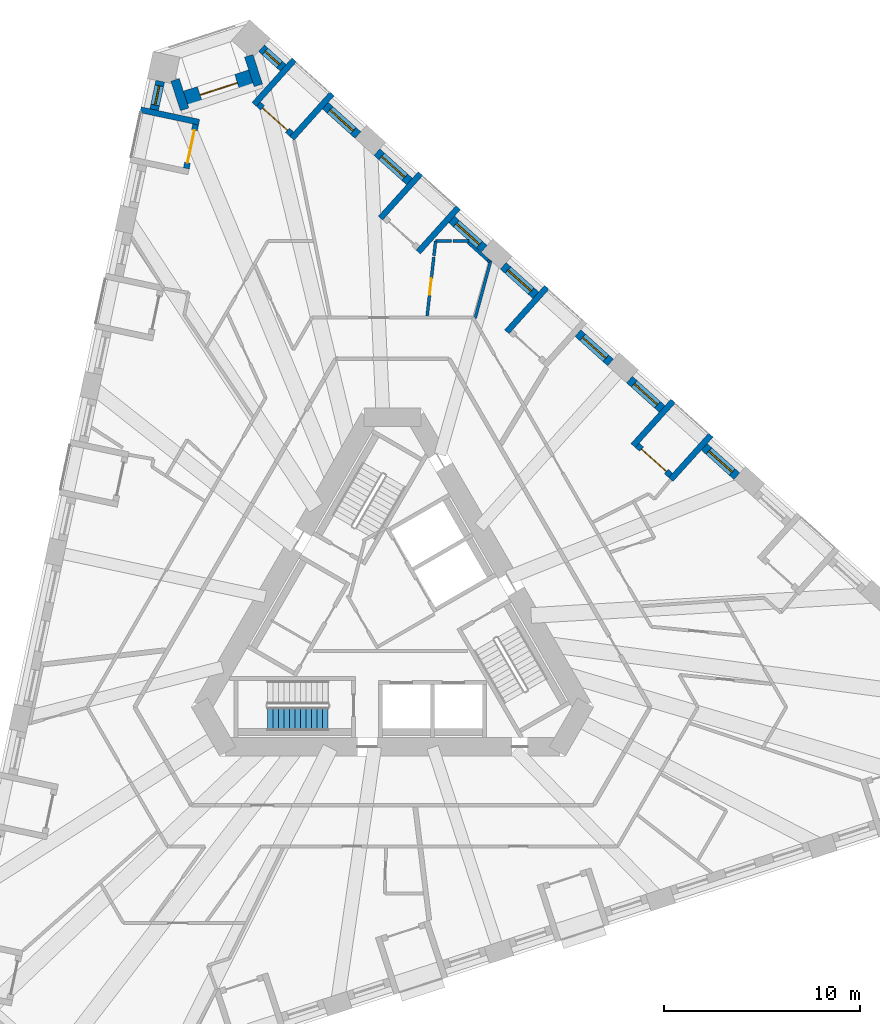
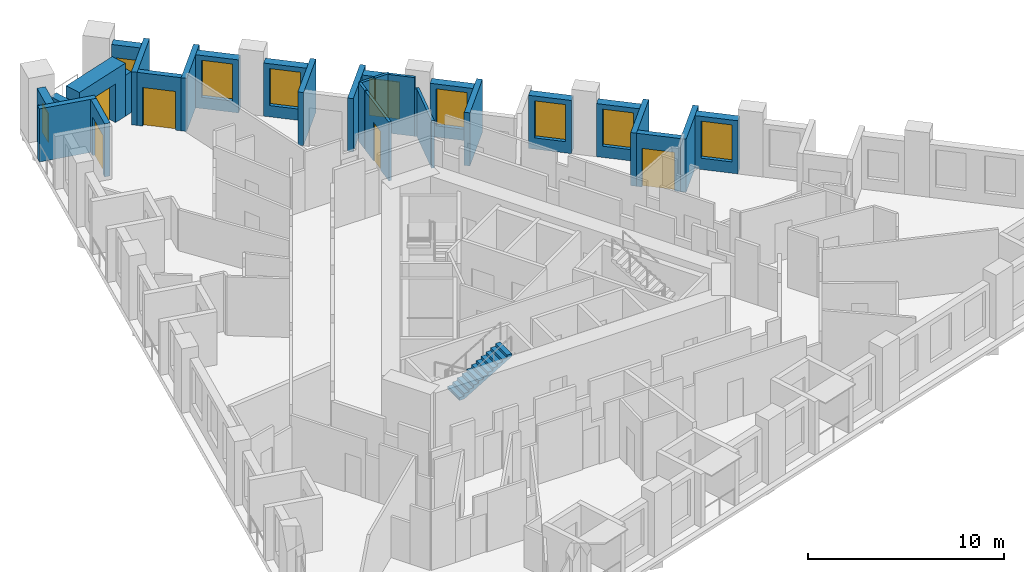
# One storey, part 9 of 13: 30 walls, 9 windows, 5 doors, 1 stair flight, 14 openings, 1 element without a shape of its own.
"""IFC4 building model written with IfcOpenShell, lengths in metres."""

import ifcopenshell
import ifcopenshell.guid

model = None  # the IFC model being written
_history = None  # IfcOwnerHistory: only IFC2X3 demands one
_inside = {}  # id of a spatial element -> (the spatial element, [elements in it])
_under = {}  # id of a project, library or spatial element -> (it, [spatial elements below it])
_declared = {}  # id of a project -> (the project, [libraries it declares])
_typed = {}  # id of a type object -> (the type object, [elements of that type])
_made_of = {}  # id of a material, layer set ... -> (it, [elements and type objects made of it])


def new_model(schema):
    """Start an empty IFC model of exactly this schema.

    Asked for "IFC4X3", IfcOpenShell would pick the latest addendum, in which some entities
    have other attributes; the version numbers below select the first issue.
    IFC2X3 requires an IfcOwnerHistory on every rooted entity: one is made here for all.
    """
    global model, _history
    if schema == "IFC4X3":
        model = ifcopenshell.file(schema_version=(4, 3, 0, 0))
    else:
        model = ifcopenshell.file(schema=schema)
    _inside.clear()
    _under.clear()
    _declared.clear()
    _typed.clear()
    _made_of.clear()
    _history = None
    if model.schema == "IFC2X3":
        org = make("IfcOrganization", Name="unknown")
        user = make(
            "IfcPersonAndOrganization",
            ThePerson=make("IfcPerson", FamilyName="unknown"),
            TheOrganization=org,
        )
        app = make(
            "IfcApplication",
            ApplicationDeveloper=org,
            Version="unknown",
            ApplicationFullName="unknown",
            ApplicationIdentifier="unknown",
        )
        _history = make(
            "IfcOwnerHistory",
            OwningUser=user,
            OwningApplication=app,
            ChangeAction="ADDED",
            CreationDate=0,
        )
    return model


def make(cls, **values):
    """One entity of the class cls with the attributes given. An attribute that is None is left unset."""
    return model.create_entity(
        cls, **{name: value for name, value in values.items() if value is not None}
    )


def rooted(cls, **values):
    """An entity with a GlobalId (a new one), such as an element, a storey or a relation."""
    return make(cls, GlobalId=ifcopenshell.guid.new(), OwnerHistory=_history, **values)


def si_unit(unit_type, name, prefix=None):
    """IfcSIUnit, for example si_unit("LENGTHUNIT", "METRE", prefix="MILLI")."""
    return make("IfcSIUnit", UnitType=unit_type, Prefix=prefix, Name=name)


def assignment(units):
    """IfcUnitAssignment: the units of a project."""
    return None if units is None else make("IfcUnitAssignment", Units=units)


def point(xyz):
    """IfcCartesianPoint."""
    return None if xyz is None else make("IfcCartesianPoint", Coordinates=xyz)


def direction(xyz):
    """IfcDirection."""
    return None if xyz is None else make("IfcDirection", DirectionRatios=xyz)


def frame(location, z_axis=None, x_axis=None):
    """IfcAxis2Placement3D, a coordinate frame: its origin and axes. An axis left out is left unset."""
    return make(
        "IfcAxis2Placement3D",
        Location=point(location),
        Axis=direction(z_axis),
        RefDirection=direction(x_axis),
    )


def frame_2d(location, x_axis=None):
    """IfcAxis2Placement2D, a coordinate frame in the plane: its origin and x axis."""
    return make(
        "IfcAxis2Placement2D", Location=point(location), RefDirection=direction(x_axis)
    )


def origin():
    """The frame at (0, 0, 0) with its axes left unset."""
    return frame((0.0, 0.0, 0.0))


def place(relative_to, where):
    """IfcLocalPlacement: puts the frame where relative to a parent placement (None: the world)."""
    return make(
        "IfcLocalPlacement", PlacementRelTo=relative_to, RelativePlacement=where
    )


def context(
    kind, dimensions, precision=None, world=None, true_north=None, identifier=None
):
    """IfcGeometricRepresentationContext, for example the 3D "Model" context."""
    return make(
        "IfcGeometricRepresentationContext",
        ContextIdentifier=identifier,
        ContextType=kind,
        CoordinateSpaceDimension=dimensions,
        Precision=precision,
        WorldCoordinateSystem=world,
        TrueNorth=true_north,
    )


def subcontext(parent, identifier, kind, view, scale=None):
    """IfcGeometricRepresentationSubContext, for example "Body" below "Model"."""
    return make(
        "IfcGeometricRepresentationSubContext",
        ContextIdentifier=identifier,
        ContextType=kind,
        ParentContext=parent,
        TargetScale=scale,
        TargetView=view,
    )


def project(units=None, contexts=None):
    """IfcProject with its units and contexts."""
    return rooted(
        "IfcProject",
        Name="project",
        RepresentationContexts=contexts,
        UnitsInContext=assignment(units),
    )


def spatial(cls, under=None, at=None, **own):
    """A site, building, storey or space (cls), placed at a placement, below another one or the project."""
    s = rooted(cls, ObjectPlacement=at, **own)
    if under is not None:
        _under.setdefault(under.id(), (under, []))[1].append(s)
    return s


def polyline(points):
    """IfcPolyline through the points."""
    return make("IfcPolyline", Points=[point(p) for p in points])


def profile(cls, at=None, kind="AREA", **sizes):
    """A parametric profile (cls). Its sizes go by their IFC names, for example OverallWidth=200.0."""
    return make(cls, ProfileType=kind, Position=at, **sizes)


def rectangle(**sizes):
    """IfcRectangleProfileDef."""
    return profile("IfcRectangleProfileDef", **sizes)


def outline(outer, holes=None, kind="AREA"):
    """IfcArbitraryClosedProfileDef: a profile drawn as a closed curve; with holes, ...WithVoids."""
    if holes is None:
        return make("IfcArbitraryClosedProfileDef", ProfileType=kind, OuterCurve=outer)
    return make(
        "IfcArbitraryProfileDefWithVoids",
        ProfileType=kind,
        OuterCurve=outer,
        InnerCurves=holes,
    )


def extrude(swept, where, along, depth):
    """IfcExtrudedAreaSolid: the profile swept, set in the frame where, extruded along a direction by depth."""
    return make(
        "IfcExtrudedAreaSolid",
        SweptArea=swept,
        Position=where,
        ExtrudedDirection=direction(along),
        Depth=depth,
    )


def shape(context_of_items, identifier, shape_type, items):
    """IfcShapeRepresentation: the items that make up one representation, for example the "Body"."""
    return make(
        "IfcShapeRepresentation",
        ContextOfItems=context_of_items,
        RepresentationIdentifier=identifier,
        RepresentationType=shape_type,
        Items=items,
    )


def material(Name=None, Category=None):
    """IfcMaterial."""
    return make("IfcMaterial", Name=Name, Category=Category)


def layer(
    of_material, thickness, ventilated=None, Name=None, Category=None, Priority=None
):
    """IfcMaterialLayer: one layer of a wall or slab, of a material (None: an air gap)."""
    return make(
        "IfcMaterialLayer",
        Material=of_material,
        LayerThickness=thickness,
        IsVentilated=ventilated,
        Name=Name,
        Category=Category,
        Priority=Priority,
    )


def layer_set(layers, Name=None):
    """IfcMaterialLayerSet."""
    return make("IfcMaterialLayerSet", MaterialLayers=layers, LayerSetName=Name)


def made_of(thing, what):
    """Note that an element or type object is made of a material, layer set ...; save() writes the relation."""
    if what is not None:
        _made_of.setdefault(what.id(), (what, []))[1].append(thing)
    return thing


def type_object(cls, material=None, **own):
    """A type object (cls), such as IfcWallType, which elements share."""
    return made_of(rooted(cls, **own), material)


def element(
    cls,
    number,
    at=None,
    inside=None,
    cuts=None,
    type_object=None,
    material=None,
    context=None,
    identifier="Body",
    shape_type=None,
    held_by="IfcProductDefinitionShape",
    body=None,
    shapes=None,
    **own,
):
    """One element of the class cls, such as IfcWall. Its Tag is "e" and its number.

    at: its placement. inside: the storey or other place that contains it. cuts: it is an
    opening in that element (IfcRelVoidsElement). A single representation is given by context,
    identifier, shape_type and body (its items); several are given by shapes. held_by: the class
    of the entity that holds the representations. save() writes the other relations.
    """
    e = rooted(cls, Tag="e%d" % number, ObjectPlacement=at, **own)
    if body is not None:
        shapes = [shape(context, identifier, shape_type, body)]
    if shapes is not None:
        e.Representation = make(held_by, Representations=shapes)
    if inside is not None:
        _inside.setdefault(inside.id(), (inside, []))[1].append(e)
    if cuts is not None:
        rooted(
            "IfcRelVoidsElement", RelatingBuildingElement=cuts, RelatedOpeningElement=e
        )
    if type_object is not None:
        _typed.setdefault(type_object.id(), (type_object, []))[1].append(e)
    return made_of(e, material)


def fill(opening, filler):
    """IfcRelFillsElement: the door or window that sits in an opening."""
    return rooted(
        "IfcRelFillsElement",
        RelatingOpeningElement=opening,
        RelatedBuildingElement=filler,
    )


def aggregate(whole, parts):
    """IfcRelAggregates: a whole, such as a stair, and the parts it consists of."""
    return rooted("IfcRelAggregates", RelatingObject=whole, RelatedObjects=parts)


def save(model, path):
    """Write the relations noted so far, then the file.

    IfcRelAggregates (storeys below a building ...), IfcRelContainedInSpatialStructure (elements
    in a storey), IfcRelDefinesByType, IfcRelAssociatesMaterial and IfcRelDeclares: one each for
    every whole, place, type object, material and project.
    """
    for whole, parts in _under.values():
        aggregate(whole, parts)
    for where, things in _inside.values():
        rooted(
            "IfcRelContainedInSpatialStructure",
            RelatedElements=things,
            RelatingStructure=where,
        )
    for kind, things in _typed.values():
        rooted("IfcRelDefinesByType", RelatedObjects=things, RelatingType=kind)
    for what, things in _made_of.values():
        rooted("IfcRelAssociatesMaterial", RelatedObjects=things, RelatingMaterial=what)
    for by, libraries in _declared.values():
        rooted("IfcRelDeclares", RelatingContext=by, RelatedDefinitions=libraries)
    model.write(path)


model = new_model("IFC4")

# Units and contexts
model_context = context("Model", 3, precision=1e-05, world=origin(), true_north=direction((0.0, 1.0)))
body_context = subcontext(model_context, "Body", "Model", "MODEL_VIEW")
ifc_project = project(units=[si_unit("LENGTHUNIT", "METRE"), si_unit("AREAUNIT", "SQUARE_METRE"), si_unit("VOLUMEUNIT", "CUBIC_METRE"), si_unit("PLANEANGLEUNIT", "RADIAN"), si_unit("MASSUNIT", "GRAM", prefix="KILO")], contexts=[model_context])

# Site, building, storey
site_placement = place(None, origin())
site = spatial("IfcSite", under=ifc_project, at=site_placement, CompositionType="ELEMENT")
building_placement = place(site_placement, origin())
building = spatial("IfcBuilding", under=site, at=building_placement, Name="Tramontana Tower", CompositionType="ELEMENT")
storey_placement = place(building_placement, frame((0.0, 0.0, 104.39990234375)))
storey = spatial("IfcBuildingStorey", under=building, at=storey_placement, Name="L23", CompositionType="ELEMENT", Elevation=104.39990234375)

# Wall, opening, window
ifc_material_1 = material(Name="Precast concrete 60 MPa", Category="concrete")
ifc_layer_1 = layer(ifc_material_1, 0.449951171875)
ifc_layer_set_1 = layer_set([ifc_layer_1], Name="Precast concrete 60 MPa, 450 mm")
wall_type_1 = type_object("IfcWallType", Name="EW1 Stone-faced precast wall 450", PredefinedType="SOLIDWALL", material=ifc_layer_set_1)
wall_1_placement = place(storey_placement, frame((-11.835693359375, 27.645751953125, 0.0), z_axis=(0.0, 0.0, 1.0), x_axis=(-0.207880358131, -0.978154260178, 0.0)))
wall_1 = element("IfcWall", 1, at=wall_1_placement, inside=storey, type_object=wall_type_1, Name="External wall L23 face 0 bay 1", PredefinedType="SOLIDWALL", context=body_context, shape_type="SweptSolid", body=[
    extrude(rectangle(XDim=1.48681640625, YDim=0.449951171875, at=frame_2d((0.743408203125, 0.0))), origin(), (0.0, 0.0, 1.0), 3.300048828125),
])
opening_1_placement = place(wall_1_placement, frame((0.243408203125, 0.0, 0.699951171875)))
opening_1 = element("IfcOpeningElement", 2, at=opening_1_placement, cuts=wall_1, Name="Opening N1L", PredefinedType="OPENING", context=body_context, shape_type="SweptSolid", body=[
    extrude(rectangle(XDim=1.0, YDim=1.800048828125, at=frame_2d((0.5, 0.89990234375))), frame((0.0, 0.23486328125, 0.0), z_axis=(0.0, -1.0, 0.0), x_axis=(1.0, 0.0, 0.0)), (0.0, 0.0, 1.0), 0.469970703125),
])
ifc_material_2 = material(Name="Aluminum frame, double glazing unit", Category="aluminium")
window_type_1 = type_object("IfcWindowType", Name="N1L Window 1 x 1.8", PartitioningType="SINGLE_PANEL", PredefinedType="WINDOW", material=ifc_material_2)
window_1_placement = place(opening_1_placement, origin())
window_1 = element("IfcWindow", 3, at=window_1_placement, inside=storey, type_object=window_type_1, Name="Window N1L L23 face 0 module 1", OverallHeight=1.800048828125, OverallWidth=1.0, PartitioningType="SINGLE_PANEL", PredefinedType="WINDOW", context=body_context, shape_type="SweptSolid", body=[
    extrude(rectangle(XDim=1.0, YDim=1.800048828125, at=frame_2d((0.5, 0.89990234375))), frame((0.0, 0.030029296875, 0.0), z_axis=(0.0, -1.0, 0.0), x_axis=(1.0, 0.0, 0.0)), (0.0, 0.0, 1.0), 0.06005859375),
])
fill(opening_1, window_1)

wall_2_placement = place(storey_placement, frame((17.54541015625, 7.51513671875, 0.0), z_axis=(0.0, 0.0, 1.0), x_axis=(-0.743142151309, 0.669133576311, 0.0)))
wall_2 = element("IfcWall", 4, at=wall_2_placement, inside=storey, type_object=wall_type_1, Name="External wall L23 face 2 bay 3", PredefinedType="SOLIDWALL", context=body_context, shape_type="SweptSolid", body=[
    extrude(rectangle(XDim=2.236572265625, YDim=0.449951171875, at=frame_2d((1.1181640625, 0.0))), origin(), (0.0, 0.0, 1.0), 3.300048828125),
])
opening_2_placement = place(wall_2_placement, frame((0.318359375, 0.0, 0.699951171875)))
opening_2 = element("IfcOpeningElement", 5, at=opening_2_placement, cuts=wall_2, Name="Opening M1", PredefinedType="OPENING", context=body_context, shape_type="SweptSolid", body=[
    extrude(rectangle(XDim=1.60009765625, YDim=2.300048828125, at=frame_2d((0.800048828125, 1.14990234375))), frame((0.0, 0.23486328125, 0.0), z_axis=(0.0, -1.0, 0.0), x_axis=(1.0, 0.0, 0.0)), (0.0, 0.0, 1.0), 0.469970703125),
])
ifc_material_3 = material(Name="Aluminum frame, double glazing unit", Category="aluminium")
window_type_2 = type_object("IfcWindowType", Name="M1 Window 1.6 x 2.3", PartitioningType="SINGLE_PANEL", PredefinedType="WINDOW", material=ifc_material_3)
window_2_placement = place(opening_2_placement, origin())
window_2 = element("IfcWindow", 6, at=window_2_placement, inside=storey, type_object=window_type_2, Name="Window M1 L23 face 2 module 7", OverallHeight=2.300048828125, OverallWidth=1.60009765625, PartitioningType="SINGLE_PANEL", PredefinedType="WINDOW", context=body_context, shape_type="SweptSolid", body=[
    extrude(rectangle(XDim=1.60009765625, YDim=2.300048828125, at=frame_2d((0.800048828125, 1.14990234375))), frame((0.0, 0.030029296875, 0.0), z_axis=(0.0, -1.0, 0.0), x_axis=(1.0, 0.0, 0.0)), (0.0, 0.0, 1.0), 0.06005859375),
])
fill(opening_2, window_2)

wall_3_placement = place(storey_placement, frame((13.738037109375, 10.943359375, 0.0), z_axis=(0.0, 0.0, 1.0), x_axis=(-0.743191019375, 0.669079299276, 0.0)))
wall_3 = element("IfcWall", 7, at=wall_3_placement, inside=storey, type_object=wall_type_1, Name="External wall L23 face 2 bay 3", PredefinedType="SOLIDWALL", context=body_context, shape_type="SweptSolid", body=[
    extrude(rectangle(XDim=2.23681640625, YDim=0.449951171875, at=frame_2d((1.118408203125, 0.0))), origin(), (0.0, 0.0, 1.0), 3.300048828125),
])
opening_3_placement = place(wall_3_placement, frame((0.318359375, 0.0, 0.699951171875)))
opening_3 = element("IfcOpeningElement", 8, at=opening_3_placement, cuts=wall_3, Name="Opening M1", PredefinedType="OPENING", context=body_context, shape_type="SweptSolid", body=[
    extrude(rectangle(XDim=1.60009765625, YDim=2.300048828125, at=frame_2d((0.800048828125, 1.14990234375))), frame((0.0, 0.23486328125, 0.0), z_axis=(0.0, -1.0, 0.0), x_axis=(1.0, 0.0, 0.0)), (0.0, 0.0, 1.0), 0.469970703125),
])
window_3_placement = place(opening_3_placement, origin())
window_3 = element("IfcWindow", 9, at=window_3_placement, inside=storey, type_object=window_type_2, Name="Window M1 L23 face 2 module 9", OverallHeight=2.300048828125, OverallWidth=1.60009765625, PartitioningType="SINGLE_PANEL", PredefinedType="WINDOW", context=body_context, shape_type="SweptSolid", body=[
    extrude(rectangle(XDim=1.60009765625, YDim=2.300048828125, at=frame_2d((0.800048828125, 1.14990234375))), frame((0.0, 0.030029296875, 0.0), z_axis=(0.0, -1.0, 0.0), x_axis=(1.0, 0.0, 0.0)), (0.0, 0.0, 1.0), 0.06005859375),
])
fill(opening_3, window_3)

wall_4_placement = place(storey_placement, frame((11.109619140625, 13.309814453125, 0.0), z_axis=(0.0, 0.0, 1.0), x_axis=(-0.743087873176, 0.669193852885, 0.0)))
wall_4 = element("IfcWall", 10, at=wall_4_placement, inside=storey, type_object=wall_type_1, Name="External wall L23 face 2 bay 4", PredefinedType="SOLIDWALL", context=body_context, shape_type="SweptSolid", body=[
    extrude(rectangle(XDim=2.23681640625, YDim=0.449951171875, at=frame_2d((1.118408203125, 0.0))), origin(), (0.0, 0.0, 1.0), 3.300048828125),
])
opening_4_placement = place(wall_4_placement, frame((0.318359375, 0.0, 0.699951171875)))
opening_4 = element("IfcOpeningElement", 11, at=opening_4_placement, cuts=wall_4, Name="Opening M1", PredefinedType="OPENING", context=body_context, shape_type="SweptSolid", body=[
    extrude(rectangle(XDim=1.60009765625, YDim=2.300048828125, at=frame_2d((0.800048828125, 1.14990234375))), frame((0.0, 0.23486328125, 0.0), z_axis=(0.0, -1.0, 0.0), x_axis=(1.0, 0.0, 0.0)), (0.0, 0.0, 1.0), 0.469970703125),
])
window_4_placement = place(opening_4_placement, origin())
window_4 = element("IfcWindow", 12, at=window_4_placement, inside=storey, type_object=window_type_2, Name="Window M1 L23 face 2 module 10", OverallHeight=2.300048828125, OverallWidth=1.60009765625, PartitioningType="SINGLE_PANEL", PredefinedType="WINDOW", context=body_context, shape_type="SweptSolid", body=[
    extrude(rectangle(XDim=1.60009765625, YDim=2.300048828125, at=frame_2d((0.800048828125, 1.14990234375))), frame((0.0, 0.030029296875, 0.0), z_axis=(0.0, -1.0, 0.0), x_axis=(1.0, 0.0, 0.0)), (0.0, 0.0, 1.0), 0.06005859375),
])
fill(opening_4, window_4)

wall_5_placement = place(storey_placement, frame((7.30224609375, 16.73828125, 0.0), z_axis=(0.0, 0.0, 1.0), x_axis=(-0.743191019375, 0.669079299276, 0.0)))
wall_5 = element("IfcWall", 13, at=wall_5_placement, inside=storey, type_object=wall_type_1, Name="External wall L23 face 2 bay 4", PredefinedType="SOLIDWALL", context=body_context, shape_type="SweptSolid", body=[
    extrude(rectangle(XDim=2.23681640625, YDim=0.449951171875, at=frame_2d((1.118408203125, 0.0))), origin(), (0.0, 0.0, 1.0), 3.300048828125),
])
opening_5_placement = place(wall_5_placement, frame((0.318359375, 0.0, 0.699951171875)))
opening_5 = element("IfcOpeningElement", 14, at=opening_5_placement, cuts=wall_5, Name="Opening M1", PredefinedType="OPENING", context=body_context, shape_type="SweptSolid", body=[
    extrude(rectangle(XDim=1.60009765625, YDim=2.300048828125, at=frame_2d((0.800048828125, 1.14990234375))), frame((0.0, 0.23486328125, 0.0), z_axis=(0.0, -1.0, 0.0), x_axis=(1.0, 0.0, 0.0)), (0.0, 0.0, 1.0), 0.469970703125),
])
window_5_placement = place(opening_5_placement, origin())
window_5 = element("IfcWindow", 15, at=window_5_placement, inside=storey, type_object=window_type_2, Name="Window M1 L23 face 2 module 12", OverallHeight=2.300048828125, OverallWidth=1.60009765625, PartitioningType="SINGLE_PANEL", PredefinedType="WINDOW", context=body_context, shape_type="SweptSolid", body=[
    extrude(rectangle(XDim=1.60009765625, YDim=2.300048828125, at=frame_2d((0.800048828125, 1.14990234375))), frame((0.0, 0.030029296875, 0.0), z_axis=(0.0, -1.0, 0.0), x_axis=(1.0, 0.0, 0.0)), (0.0, 0.0, 1.0), 0.06005859375),
])
fill(opening_5, window_5)

wall_6_placement = place(storey_placement, frame((4.673828125, 19.104736328125, 0.0), z_axis=(0.0, 0.0, 1.0), x_axis=(-0.743191019375, 0.669079299276, 0.0)))
wall_6 = element("IfcWall", 16, at=wall_6_placement, inside=storey, type_object=wall_type_1, Name="External wall L23 face 2 bay 5", PredefinedType="SOLIDWALL", context=body_context, shape_type="SweptSolid", body=[
    extrude(rectangle(XDim=2.23681640625, YDim=0.449951171875, at=frame_2d((1.118408203125, 0.0))), origin(), (0.0, 0.0, 1.0), 3.300048828125),
])
opening_6_placement = place(wall_6_placement, frame((0.318359375, 0.0, 0.699951171875)))
opening_6 = element("IfcOpeningElement", 17, at=opening_6_placement, cuts=wall_6, Name="Opening M1", PredefinedType="OPENING", context=body_context, shape_type="SweptSolid", body=[
    extrude(rectangle(XDim=1.60009765625, YDim=2.300048828125, at=frame_2d((0.800048828125, 1.14990234375))), frame((0.0, 0.23486328125, 0.0), z_axis=(0.0, -1.0, 0.0), x_axis=(1.0, 0.0, 0.0)), (0.0, 0.0, 1.0), 0.469970703125),
])
window_6_placement = place(opening_6_placement, origin())
window_6 = element("IfcWindow", 18, at=window_6_placement, inside=storey, type_object=window_type_2, Name="Window M1 L23 face 2 module 13", OverallHeight=2.300048828125, OverallWidth=1.60009765625, PartitioningType="SINGLE_PANEL", PredefinedType="WINDOW", context=body_context, shape_type="SweptSolid", body=[
    extrude(rectangle(XDim=1.60009765625, YDim=2.300048828125, at=frame_2d((0.800048828125, 1.14990234375))), frame((0.0, 0.030029296875, 0.0), z_axis=(0.0, -1.0, 0.0), x_axis=(1.0, 0.0, 0.0)), (0.0, 0.0, 1.0), 0.06005859375),
])
fill(opening_6, window_6)

wall_7_placement = place(storey_placement, frame((0.8662109375, 22.532958984375, 0.0), z_axis=(0.0, 0.0, 1.0), x_axis=(-0.743087873176, 0.669193852885, 0.0)))
wall_7 = element("IfcWall", 19, at=wall_7_placement, inside=storey, type_object=wall_type_1, Name="External wall L23 face 2 bay 5", PredefinedType="SOLIDWALL", context=body_context, shape_type="SweptSolid", body=[
    extrude(rectangle(XDim=2.23681640625, YDim=0.449951171875, at=frame_2d((1.118408203125, 0.0))), origin(), (0.0, 0.0, 1.0), 3.300048828125),
])
opening_7_placement = place(wall_7_placement, frame((0.318359375, 0.0, 0.699951171875)))
opening_7 = element("IfcOpeningElement", 20, at=opening_7_placement, cuts=wall_7, Name="Opening M1", PredefinedType="OPENING", context=body_context, shape_type="SweptSolid", body=[
    extrude(rectangle(XDim=1.60009765625, YDim=2.300048828125, at=frame_2d((0.800048828125, 1.14990234375))), frame((0.0, 0.23486328125, 0.0), z_axis=(0.0, -1.0, 0.0), x_axis=(1.0, 0.0, 0.0)), (0.0, 0.0, 1.0), 0.469970703125),
])
window_7_placement = place(opening_7_placement, origin())
window_7 = element("IfcWindow", 21, at=window_7_placement, inside=storey, type_object=window_type_2, Name="Window M1 L23 face 2 module 15", OverallHeight=2.300048828125, OverallWidth=1.60009765625, PartitioningType="SINGLE_PANEL", PredefinedType="WINDOW", context=body_context, shape_type="SweptSolid", body=[
    extrude(rectangle(XDim=1.60009765625, YDim=2.300048828125, at=frame_2d((0.800048828125, 1.14990234375))), frame((0.0, 0.030029296875, 0.0), z_axis=(0.0, -1.0, 0.0), x_axis=(1.0, 0.0, 0.0)), (0.0, 0.0, 1.0), 0.06005859375),
])
fill(opening_7, window_7)

wall_8_placement = place(storey_placement, frame((-1.761962890625, 24.899658203125, 0.0), z_axis=(0.0, 0.0, 1.0), x_axis=(-0.743191019375, 0.669079299276, 0.0)))
wall_8 = element("IfcWall", 22, at=wall_8_placement, inside=storey, type_object=wall_type_1, Name="External wall L23 face 2 bay 6", PredefinedType="SOLIDWALL", context=body_context, shape_type="SweptSolid", body=[
    extrude(rectangle(XDim=2.23681640625, YDim=0.449951171875, at=frame_2d((1.118408203125, 0.0))), origin(), (0.0, 0.0, 1.0), 3.300048828125),
])
opening_8_placement = place(wall_8_placement, frame((0.318359375, 0.0, 0.699951171875)))
opening_8 = element("IfcOpeningElement", 23, at=opening_8_placement, cuts=wall_8, Name="Opening M1", PredefinedType="OPENING", context=body_context, shape_type="SweptSolid", body=[
    extrude(rectangle(XDim=1.60009765625, YDim=2.300048828125, at=frame_2d((0.800048828125, 1.14990234375))), frame((0.0, 0.23486328125, 0.0), z_axis=(0.0, -1.0, 0.0), x_axis=(1.0, 0.0, 0.0)), (0.0, 0.0, 1.0), 0.469970703125),
])
window_8_placement = place(opening_8_placement, origin())
window_8 = element("IfcWindow", 24, at=window_8_placement, inside=storey, type_object=window_type_2, Name="Window M1 L23 face 2 module 16", OverallHeight=2.300048828125, OverallWidth=1.60009765625, PartitioningType="SINGLE_PANEL", PredefinedType="WINDOW", context=body_context, shape_type="SweptSolid", body=[
    extrude(rectangle(XDim=1.60009765625, YDim=2.300048828125, at=frame_2d((0.800048828125, 1.14990234375))), frame((0.0, 0.030029296875, 0.0), z_axis=(0.0, -1.0, 0.0), x_axis=(1.0, 0.0, 0.0)), (0.0, 0.0, 1.0), 0.06005859375),
])
fill(opening_8, window_8)

wall_9_placement = place(storey_placement, frame((-5.569580078125, 28.327880859375, 0.0), z_axis=(0.0, 0.0, 1.0), x_axis=(-0.743089972274, 0.669191521992, 0.0)))
wall_9 = element("IfcWall", 25, at=wall_9_placement, inside=storey, type_object=wall_type_1, Name="External wall L23 face 2 bay 6", PredefinedType="SOLIDWALL", context=body_context, shape_type="SweptSolid", body=[
    extrude(rectangle(XDim=1.486572265625, YDim=0.449951171875, at=frame_2d((0.7431640625, 0.0))), origin(), (0.0, 0.0, 1.0), 3.300048828125),
])
opening_9_placement = place(wall_9_placement, frame((0.243408203125, 0.0, 0.699951171875)))
opening_9 = element("IfcOpeningElement", 26, at=opening_9_placement, cuts=wall_9, Name="Opening N1L", PredefinedType="OPENING", context=body_context, shape_type="SweptSolid", body=[
    extrude(rectangle(XDim=1.0, YDim=1.800048828125, at=frame_2d((0.5, 0.89990234375))), frame((0.0, 0.23486328125, 0.0), z_axis=(0.0, -1.0, 0.0), x_axis=(1.0, 0.0, 0.0)), (0.0, 0.0, 1.0), 0.469970703125),
])
window_9_placement = place(opening_9_placement, origin())
window_9 = element("IfcWindow", 27, at=window_9_placement, inside=storey, type_object=window_type_1, Name="Window N1L L23 face 2 module 18", OverallHeight=1.800048828125, OverallWidth=1.0, PartitioningType="SINGLE_PANEL", PredefinedType="WINDOW", context=body_context, shape_type="SweptSolid", body=[
    extrude(rectangle(XDim=1.0, YDim=1.800048828125, at=frame_2d((0.5, 0.89990234375))), frame((0.0, 0.030029296875, 0.0), z_axis=(0.0, -1.0, 0.0), x_axis=(1.0, 0.0, 0.0)), (0.0, 0.0, 1.0), 0.06005859375),
])
fill(opening_9, window_9)

# Walls
for number, where, z_axis, x_axis, name in (
    (28, (-11.08056640625, 27.71142578125, 0.0), (0.0, 0.0, 1.0), (0.309030142399, -0.951052244143, 0.0), "Corner loggia side wall L23 K20l"),
    (29, (-7.323974609375, 28.93212890625, 0.0), (0.0, 0.0, 1.0), (0.309030142399, -0.951052244143, 0.0), "Corner loggia side wall L23 K20r"),
):
    element("IfcWall", number, at=place(storey_placement, frame(where, z_axis=z_axis, x_axis=x_axis)), inside=storey, type_object=wall_type_1, Name=name, PredefinedType="SOLIDWALL", context=body_context, shape_type="SweptSolid", body=[
        extrude(rectangle(XDim=1.579345703125, YDim=0.449951171875, at=frame_2d((0.78955078125, 0.0))), origin(), (0.0, 0.0, 1.0), 2.550048828125),
    ])

# Wall, opening, door
ifc_material_4 = material(Name="Precast concrete 60 MPa", Category="concrete")
ifc_layer_2 = layer(ifc_material_4, 0.89990234375)
ifc_layer_set_2 = layer_set([ifc_layer_2], Name="EW2 Stone-faced corner loggia wall 900")
wall_type_2 = type_object("IfcWallType", Name="EW2 Stone-faced corner loggia wall 900", PredefinedType="SOLIDWALL", material=ifc_layer_set_2)
wall_10_placement = place(storey_placement, frame((-10.517578125, 26.70703125, 0.0), z_axis=(0.0, 0.0, 1.0), x_axis=(0.951055596592, 0.309019824916, 0.0)))
wall_10 = element("IfcWall", 30, at=wall_10_placement, inside=storey, type_object=wall_type_2, Name="Corner loggia wall L23 K20", PredefinedType="SOLIDWALL", context=body_context, shape_type="SweptSolid", body=[
    extrude(rectangle(XDim=3.5, YDim=0.89990234375, at=frame_2d((1.75, 0.0))), origin(), (0.0, 0.0, 1.0), 3.300048828125),
])
opening_10_placement = place(wall_10_placement, frame((0.75, 0.0, 0.0)))
opening_10 = element("IfcOpeningElement", 31, at=opening_10_placement, cuts=wall_10, Name="Opening BD-20C", PredefinedType="OPENING", context=body_context, shape_type="SweptSolid", body=[
    extrude(rectangle(XDim=2.0, YDim=2.39990234375, at=frame_2d((1.0, 1.199951171875))), frame((0.0, 0.4599609375, 0.0), z_axis=(0.0, -1.0, 0.0), x_axis=(1.0, 0.0, 0.0)), (0.0, 0.0, 1.0), 0.919921875),
])
ifc_material_5 = material(Name="Aluminum frame, double glazing unit", Category="aluminium")
door_type_1 = type_object("IfcDoorType", Name="BC1 Sliding door 2 x 2.4", OperationType="SLIDING_TO_LEFT", PredefinedType="DOOR", material=ifc_material_5)
door_1_placement = place(opening_10_placement, origin())
door_1 = element("IfcDoor", 32, at=door_1_placement, inside=storey, type_object=door_type_1, Name="Corner loggia door L23 K20", OperationType="SLIDING_TO_LEFT", OverallHeight=2.39990234375, OverallWidth=2.0, PredefinedType="DOOR", context=body_context, shape_type="SweptSolid", body=[
    extrude(rectangle(XDim=2.0, YDim=2.39990234375, at=frame_2d((1.0, 1.199951171875))), frame((0.0, 0.02490234375, 0.0), z_axis=(0.0, -1.0, 0.0), x_axis=(1.0, 0.0, 0.0)), (0.0, 0.0, 1.0), 0.050048828125),
])
fill(opening_10, door_1)

ifc_material_6 = material(Name="Precast concrete 60 MPa", Category="concrete")
ifc_layer_3 = layer(ifc_material_6, 0.300048828125)
ifc_layer_set_3 = layer_set([ifc_layer_3], Name="LW1 Stone-faced loggia wall 300")
wall_type_3 = type_object("IfcWallType", Name="LW1 Stone-faced loggia wall 300", PredefinedType="SOLIDWALL", material=ifc_layer_set_3)
wall_11_placement = place(storey_placement, frame((-10.031005859375, 25.435302734375, 0.0), z_axis=(0.0, 0.0, 1.0), x_axis=(-0.207866417042, -0.978157222877, 0.0)))
wall_11 = element("IfcWall", 33, at=wall_11_placement, inside=storey, type_object=wall_type_3, Name="Loggia wall L23 G2S0.1", PredefinedType="SOLIDWALL", context=body_context, shape_type="SweptSolid", body=[
    extrude(rectangle(XDim=2.286865234375, YDim=0.300048828125, at=frame_2d((1.1435546875, 0.0))), origin(), (0.0, 0.0, 1.0), 3.300048828125),
])
opening_11_placement = place(wall_11_placement, frame((0.29345703125, 0.0, 0.0)))
opening_11 = element("IfcOpeningElement", 34, at=opening_11_placement, cuts=wall_11, Name="Opening BD-2S0-01", PredefinedType="OPENING", context=body_context, shape_type="SweptSolid", body=[
    extrude(rectangle(XDim=1.699951171875, YDim=2.39990234375, at=frame_2d((0.85009765625, 1.199951171875))), frame((0.0, 0.159912109375, 0.0), z_axis=(0.0, -1.0, 0.0), x_axis=(1.0, 0.0, 0.0)), (0.0, 0.0, 1.0), 0.320068359375),
])
ifc_material_7 = material(Name="Aluminum frame, double glazing unit", Category="aluminium")
door_type_2 = type_object("IfcDoorType", Name="BD1 Sliding door 1.7 x 2.4", OperationType="SLIDING_TO_LEFT", PredefinedType="DOOR", material=ifc_material_7)
door_2_placement = place(opening_11_placement, origin())
door_2 = element("IfcDoor", 35, at=door_2_placement, inside=storey, type_object=door_type_2, Name="Loggia door L23 G2S0.1", OperationType="SLIDING_TO_LEFT", OverallHeight=2.39990234375, OverallWidth=1.699951171875, PredefinedType="DOOR", context=body_context, shape_type="SweptSolid", body=[
    extrude(rectangle(XDim=1.699951171875, YDim=2.39990234375, at=frame_2d((0.85009765625, 1.199951171875))), frame((0.0, 0.02490234375, 0.0), z_axis=(0.0, -1.0, 0.0), x_axis=(1.0, 0.0, 0.0)), (0.0, 0.0, 1.0), 0.050048828125),
])
fill(opening_11, door_2)

# Wall
wall_12_placement = place(storey_placement, frame((-12.83642578125, 26.18505859375, 0.0), z_axis=(0.0, 0.0, 1.0), x_axis=(0.978154782045, -0.207877902534, 0.0)))
element("IfcWall", 36, at=wall_12_placement, inside=storey, type_object=wall_type_3, Name="Loggia return L23 G2S0.1a", PredefinedType="SOLIDWALL", context=body_context, shape_type="SweptSolid", body=[
    extrude(rectangle(XDim=3.050048828125, YDim=0.300048828125, at=frame_2d((1.52490234375, 0.0))), origin(), (0.0, 0.0, 1.0), 3.300048828125),
])

# Wall, opening, door
wall_13_placement = place(storey_placement, frame((14.17138671875, 7.55908203125, 0.0), z_axis=(0.0, 0.0, 1.0), x_axis=(-0.743134851659, 0.66914168324, 0.0)))
wall_13 = element("IfcWall", 37, at=wall_13_placement, inside=storey, type_object=wall_type_3, Name="Loggia wall L23 G2S2.7", PredefinedType="SOLIDWALL", context=body_context, shape_type="SweptSolid", body=[
    extrude(rectangle(XDim=2.28662109375, YDim=0.300048828125, at=frame_2d((1.143310546875, 0.0))), origin(), (0.0, 0.0, 1.0), 3.300048828125),
])
opening_12_placement = place(wall_13_placement, frame((0.29345703125, 0.0, 0.0)))
opening_12 = element("IfcOpeningElement", 38, at=opening_12_placement, cuts=wall_13, Name="Opening BD-2S2-07", PredefinedType="OPENING", context=body_context, shape_type="SweptSolid", body=[
    extrude(rectangle(XDim=1.699951171875, YDim=2.39990234375, at=frame_2d((0.85009765625, 1.199951171875))), frame((0.0, 0.159912109375, 0.0), z_axis=(0.0, -1.0, 0.0), x_axis=(1.0, 0.0, 0.0)), (0.0, 0.0, 1.0), 0.320068359375),
])
door_3_placement = place(opening_12_placement, origin())
door_3 = element("IfcDoor", 39, at=door_3_placement, inside=storey, type_object=door_type_2, Name="Loggia door L23 G2S2.7", OperationType="SLIDING_TO_LEFT", OverallHeight=2.39990234375, OverallWidth=1.699951171875, PredefinedType="DOOR", context=body_context, shape_type="SweptSolid", body=[
    extrude(rectangle(XDim=1.699951171875, YDim=2.39990234375, at=frame_2d((0.85009765625, 1.199951171875))), frame((0.0, 0.02490234375, 0.0), z_axis=(0.0, -1.0, 0.0), x_axis=(1.0, 0.0, 0.0)), (0.0, 0.0, 1.0), 0.050048828125),
])
fill(opening_12, door_3)

# Walls
for number, where, z_axis, x_axis, name in (
    (40, (16.223388671875, 9.61376953125, 0.0), (0.0, 0.0, 1.0), (-0.669115082961, -0.743158802514, 0.0), "Loggia return L23 G2S2.7a"),
    (41, (14.301025390625, 11.3447265625, 0.0), (0.0, 0.0, 1.0), (-0.669115082961, -0.743158802514, 0.0), "Loggia return L23 G2S2.7b"),
    (42, (7.865234375, 17.139404296875, 0.0), (0.0, 0.0, 1.0), (-0.669115082961, -0.743158802514, 0.0), "Loggia return L23 G2S2.10b"),
    (43, (3.351806640625, 21.203369140625, 0.0), (0.0, 0.0, 1.0), (-0.669115082961, -0.743158802514, 0.0), "Loggia return L23 G2S2.13a"),
    (44, (1.429443359375, 22.934326171875, 0.0), (0.0, 0.0, 1.0), (-0.669115082961, -0.743158802514, 0.0), "Loggia return L23 G2S2.13b"),
):
    element("IfcWall", number, at=place(storey_placement, frame(where, z_axis=z_axis, x_axis=x_axis)), inside=storey, type_object=wall_type_3, Name=name, PredefinedType="SOLIDWALL", context=body_context, shape_type="SweptSolid", body=[
        extrude(rectangle(XDim=3.050048828125, YDim=0.300048828125, at=frame_2d((1.52490234375, 0.0))), origin(), (0.0, 0.0, 1.0), 3.300048828125),
    ])

# Wall, opening, door
wall_14_placement = place(storey_placement, frame((-5.135986328125, 24.943603515625, 0.0), z_axis=(0.0, 0.0, 1.0), x_axis=(-0.743182653308, 0.669088591909, 0.0)))
wall_14 = element("IfcWall", 45, at=wall_14_placement, inside=storey, type_object=wall_type_3, Name="Loggia wall L23 G2S2.16", PredefinedType="SOLIDWALL", context=body_context, shape_type="SweptSolid", body=[
    extrude(rectangle(XDim=2.28662109375, YDim=0.300048828125, at=frame_2d((1.143310546875, 0.0))), origin(), (0.0, 0.0, 1.0), 3.300048828125),
])
opening_13_placement = place(wall_14_placement, frame((0.29345703125, 0.0, 0.0)))
opening_13 = element("IfcOpeningElement", 46, at=opening_13_placement, cuts=wall_14, Name="Opening BD-2S2-16", PredefinedType="OPENING", context=body_context, shape_type="SweptSolid", body=[
    extrude(rectangle(XDim=1.699951171875, YDim=2.39990234375, at=frame_2d((0.85009765625, 1.199951171875))), frame((0.0, 0.159912109375, 0.0), z_axis=(0.0, -1.0, 0.0), x_axis=(1.0, 0.0, 0.0)), (0.0, 0.0, 1.0), 0.320068359375),
])
door_4_placement = place(opening_13_placement, origin())
door_4 = element("IfcDoor", 47, at=door_4_placement, inside=storey, type_object=door_type_2, Name="Loggia door L23 G2S2.16", OperationType="SLIDING_TO_LEFT", OverallHeight=2.39990234375, OverallWidth=1.699951171875, PredefinedType="DOOR", context=body_context, shape_type="SweptSolid", body=[
    extrude(rectangle(XDim=1.699951171875, YDim=2.39990234375, at=frame_2d((0.85009765625, 1.199951171875))), frame((0.0, 0.02490234375, 0.0), z_axis=(0.0, -1.0, 0.0), x_axis=(1.0, 0.0, 0.0)), (0.0, 0.0, 1.0), 0.050048828125),
])
fill(opening_13, door_4)

# Walls
for number, where, z_axis, x_axis, name in (
    (48, (-3.083984375, 26.998291015625, 0.0), (0.0, 0.0, 1.0), (-0.669159288314, -0.743118999127, 0.0), "Loggia return L23 G2S2.16a"),
    (49, (-5.00634765625, 28.729248046875, 0.0), (0.0, 0.0, 1.0), (-0.669115082961, -0.743158802514, 0.0), "Loggia return L23 G2S2.16b"),
):
    element("IfcWall", number, at=place(storey_placement, frame(where, z_axis=z_axis, x_axis=x_axis)), inside=storey, type_object=wall_type_3, Name=name, PredefinedType="SOLIDWALL", context=body_context, shape_type="SweptSolid", body=[
        extrude(rectangle(XDim=3.050048828125, YDim=0.300048828125, at=frame_2d((1.52490234375, 0.0))), origin(), (0.0, 0.0, 1.0), 3.300048828125),
    ])

# Wall, opening, door
ifc_material_8 = material(Name="Gypsum board partition")
ifc_layer_4 = layer(ifc_material_8, 0.14990234375)
ifc_layer_set_4 = layer_set([ifc_layer_4], Name="PARTITION 150")
wall_type_4 = type_object("IfcWallType", Name="PARTITION 150", PredefinedType="PARTITIONING", material=ifc_layer_set_4)
wall_15_placement = place(storey_placement, frame((2.10400390625, 18.680419921875, 0.0), z_axis=(0.0, 0.0, 1.0), x_axis=(-0.11196416601, -0.993712244832, 0.0)))
wall_15 = element("IfcWall", 50, at=wall_15_placement, inside=storey, type_object=wall_type_4, Name="Wall v21-pw35", PredefinedType="PARTITIONING", context=body_context, shape_type="SweptSolid", body=[
    extrude(rectangle(XDim=3.0244140625, YDim=0.14990234375, at=frame_2d((1.51220703125, 0.0))), origin(), (0.0, 0.0, 1.0), 3.650146484375),
])
opening_14_placement = place(wall_15_placement, frame((1.087158203125, 0.0, 0.0)))
opening_14 = element("IfcOpeningElement", 51, at=opening_14_placement, cuts=wall_15, Name="Opening B2B-08", PredefinedType="OPENING", context=body_context, shape_type="SweptSolid", body=[
    extrude(rectangle(XDim=0.85009765625, YDim=2.39990234375, at=frame_2d((0.425048828125, 1.199951171875))), frame((0.0, 0.0849609375, 0.0), z_axis=(0.0, -1.0, 0.0), x_axis=(1.0, 0.0, 0.0)), (0.0, 0.0, 1.0), 0.169921875),
])
ifc_material_9 = material(Name="Painted timber", Category="wood")
door_type_3 = type_object("IfcDoorType", Name="DOOR BATH 850", OperationType="SINGLE_SWING_LEFT", PredefinedType="DOOR", material=ifc_material_9)
door_5_placement = place(opening_14_placement, origin())
door_5 = element("IfcDoor", 52, at=door_5_placement, inside=storey, type_object=door_type_3, Name="Door B2B-08", OperationType="SINGLE_SWING_RIGHT", OverallHeight=2.39990234375, OverallWidth=0.85009765625, PredefinedType="DOOR", context=body_context, shape_type="SweptSolid", body=[
    extrude(rectangle(XDim=0.85009765625, YDim=2.39990234375, at=frame_2d((0.425048828125, 1.199951171875))), frame((0.0, 0.02490234375, 0.0), z_axis=(0.0, -1.0, 0.0), x_axis=(1.0, 0.0, 0.0)), (0.0, 0.0, 1.0), 0.050048828125),
])
fill(opening_14, door_5)

# Walls
wall_16_placement = place(storey_placement, frame((2.11181640625, 18.75, 0.0), z_axis=(0.0, 0.0, 1.0), x_axis=(0.111922545241, 0.993716933471, 0.0)))
element("IfcWall", 53, at=wall_16_placement, inside=storey, type_object=wall_type_4, Name="Wall v21-pw36", PredefinedType="PARTITIONING", context=body_context, shape_type="SweptSolid", body=[
    extrude(rectangle(XDim=0.754638671875, YDim=0.14990234375, at=frame_2d((0.37744140625, 0.0))), origin(), (0.0, 0.0, 1.0), 3.650146484375),
])
wall_17_placement = place(storey_placement, frame((2.1962890625, 19.5, 0.0), z_axis=(0.0, 0.0, 1.0), x_axis=(1.0, 0.0, 0.0)))
element("IfcWall", 54, at=wall_17_placement, inside=storey, type_object=wall_type_4, Name="Wall v21-pw37", PredefinedType="PARTITIONING", context=body_context, shape_type="SweptSolid", body=[
    extrude(rectangle(XDim=0.803466796875, YDim=0.14990234375, at=frame_2d((0.40185546875, 0.0))), origin(), (0.0, 0.0, 1.0), 3.650146484375),
])
wall_18_placement = place(storey_placement, frame((3.06982421875, 19.5, 0.0), z_axis=(0.0, 0.0, 1.0), x_axis=(1.0, 0.0, 0.0)))
element("IfcWall", 55, at=wall_18_placement, inside=storey, type_object=wall_type_4, Name="Wall v21-pw38", PredefinedType="PARTITIONING", context=body_context, shape_type="SweptSolid", body=[
    extrude(rectangle(XDim=0.828857421875, YDim=0.14990234375, at=frame_2d((0.41455078125, 0.0))), origin(), (0.0, 0.0, 1.0), 3.650146484375),
])
wall_19_placement = place(storey_placement, frame((3.841796875, 19.436767578125, 0.0), z_axis=(0.0, 0.0, 1.0), x_axis=(0.743162000139, -0.669111531472, 0.0)))
element("IfcWall", 56, at=wall_19_placement, inside=storey, type_object=wall_type_4, Name="Wall v21-pw39-0", PredefinedType="PARTITIONING", context=body_context, shape_type="SweptSolid", body=[
    extrude(rectangle(XDim=1.378173828125, YDim=0.14990234375, at=frame_2d((0.68896484375, 0.0))), origin(), (0.0, 0.0, 1.0), 3.650146484375),
])
wall_20_placement = place(storey_placement, frame((4.865966796875, 18.5146484375, 0.0), z_axis=(0.0, 0.0, 1.0), x_axis=(0.743078033606, -0.669204778803, 0.0)))
element("IfcWall", 57, at=wall_20_placement, inside=storey, type_object=wall_type_4, Name="Wall v21-pw39-1", PredefinedType="PARTITIONING", context=body_context, shape_type="SweptSolid", body=[
    extrude(rectangle(XDim=0.1123046875, YDim=0.14990234375, at=frame_2d((0.05615234375, 0.0))), origin(), (0.0, 0.0, 1.0), 2.9501953125),
])
wall_21_placement = place(storey_placement, frame((5.00634765625, 18.502685546875, 0.0), z_axis=(0.0, 0.0, 1.0), x_axis=(-0.261193292311, -0.965286519149, 0.0)))
element("IfcWall", 58, at=wall_21_placement, inside=storey, type_object=wall_type_4, Name="Wall v21-pw41-0", PredefinedType="PARTITIONING", context=body_context, shape_type="SweptSolid", body=[
    extrude(rectangle(XDim=3.050048828125, YDim=0.14990234375, at=frame_2d((1.52490234375, 0.0))), origin(), (0.0, 0.0, 1.0), 2.9501953125),
])

# Stair, stair flight
ifc_material_10 = material(Name="Concrete 40 MPa", Category="concrete")
stair_type = type_object("IfcStairType", Name="EXIT STAIR 24 RISERS", PredefinedType="HALF_TURN_STAIR", material=ifc_material_10)
stair_placement = place(storey_placement, origin())
stair = element("IfcStair", 59, at=stair_placement, inside=storey, type_object=stair_type, Name="L23 Exit stair ST2", PredefinedType="HALF_TURN_STAIR")
ifc_material_11 = material(Name="Concrete 40 MPa", Category="concrete")
ifc_layer_5 = layer(ifc_material_11, 0.14990234375)
ifc_layer_set_5 = layer_set([ifc_layer_5], Name="EXIT STAIR FLIGHT")
stair_flight_type = type_object("IfcStairFlightType", Name="EXIT STAIR FLIGHT", PredefinedType="STRAIGHT", material=ifc_layer_set_5)
stair_flight_placement = place(storey_placement, frame((-6.360107421875, -4.85009765625, 2.0), z_axis=(0.0, 0.0, 1.0), x_axis=(1.0, 0.0, 0.0)))
stair_flight = element("IfcStairFlight", 60, at=stair_flight_placement, type_object=stair_flight_type, Name="ST2 flight 2", NumberOfRisers=12, NumberOfTreads=11, PredefinedType="STRAIGHT", RiserHeight=0.166666667, TreadLength=0.28, context=body_context, shape_type="SweptSolid", body=[
    extrude(outline(polyline([(-0.006103515625, 0.0), (-0.006103515625, 0.0400390625), (0.0, 0.0400390625), (0.0, 0.166748046875), (0.280029296875, 0.166748046875), (0.280029296875, 0.333251953125), (0.56005859375, 0.333251953125), (0.56005859375, 0.5), (0.840087890625, 0.5), (0.840087890625, 0.666748046875), (1.1201171875, 0.666748046875), (1.1201171875, 0.833251953125), (1.39990234375, 0.833251953125), (1.39990234375, 1.0), (1.679931640625, 1.0), (1.679931640625, 1.166748046875), (1.9599609375, 1.166748046875), (1.9599609375, 1.333251953125), (2.239990234375, 1.333251953125), (2.239990234375, 1.5), (2.52001953125, 1.5), (2.52001953125, 1.666748046875), (2.800048828125, 1.666748046875), (2.800048828125, 1.833251953125), (3.080078125, 1.833251953125), (3.0859375, 1.833251953125), (3.0859375, 1.658935546875), (0.299072265625, 0.0), (-0.006103515625, 0.0)])), frame((0.0, 0.60009765625, 0.0), z_axis=(0.0, -1.0, 0.0), x_axis=(1.0, 0.0, 0.0)), (0.0, 0.0, 1.0), 1.199951171875),
])
aggregate(stair, [stair_flight])

save(model, "model.ifc")
